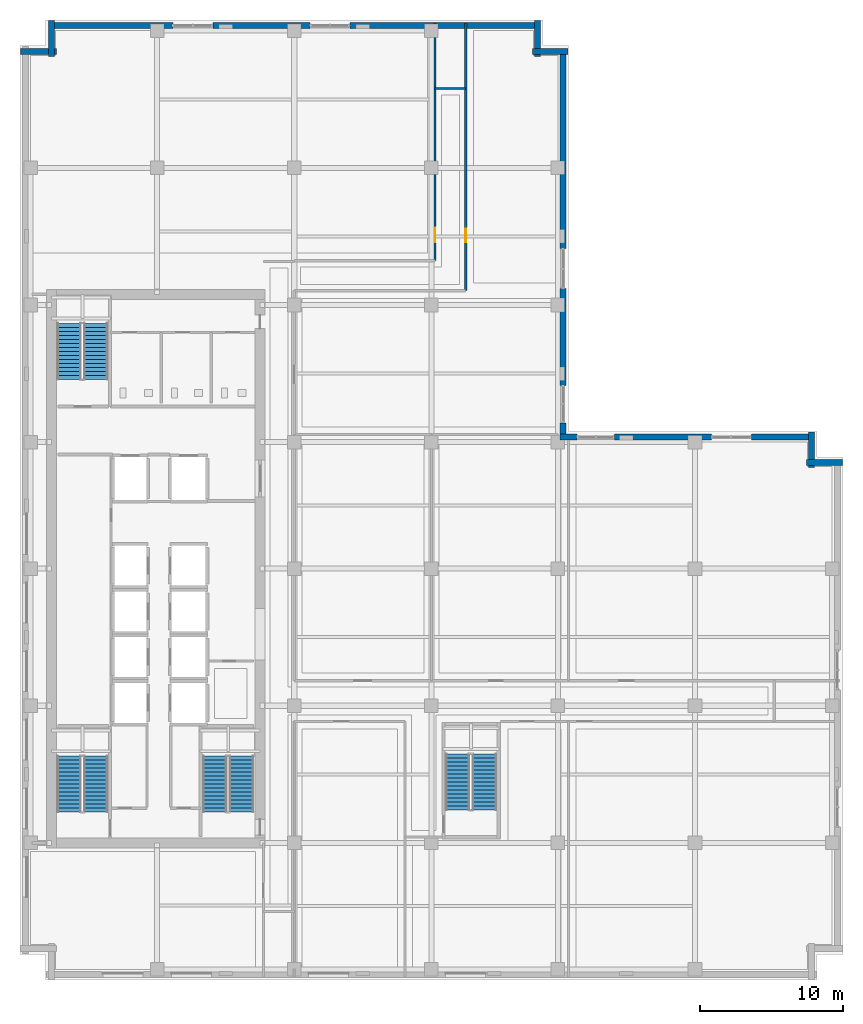
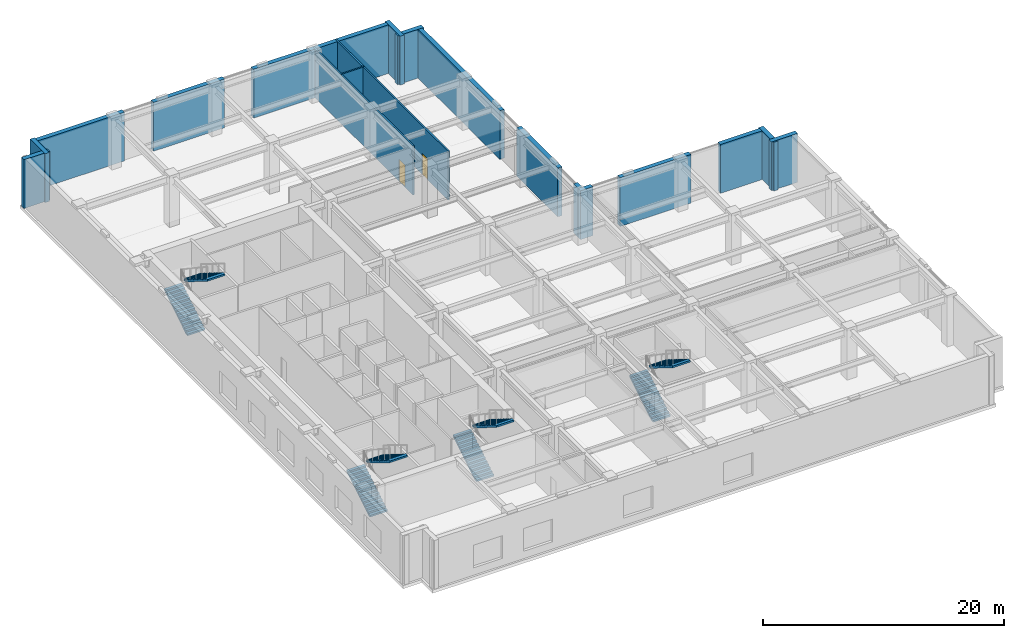
# One storey, part 7 of 18: 18 walls, 8 stair flights, 2 doors, 2 openings, 4 elements without a shape of their own.
"""IFC4 building model written with IfcOpenShell, lengths in metres."""

from ifc_helpers import new_model, si_unit, direction, frame, frame_2d, origin, place, context, subcontext, project, spatial, polyline, rectangle, outline, extrude, material, layer, layer_set, type_object, element, fill, aggregate, save


model = new_model("IFC4")

# Units and contexts
model_context = context("Model", 3, precision=1e-05, world=origin(), true_north=direction((0.0, 1.0)))
body_context = subcontext(model_context, "Body", "Model", "MODEL_VIEW")
ifc_project = project(units=[si_unit("LENGTHUNIT", "METRE"), si_unit("AREAUNIT", "SQUARE_METRE"), si_unit("VOLUMEUNIT", "CUBIC_METRE"), si_unit("PLANEANGLEUNIT", "RADIAN"), si_unit("MASSUNIT", "GRAM", prefix="KILO")], contexts=[model_context])

# Site, building, storey
site_placement = place(None, origin())
site = spatial("IfcSite", under=ifc_project, at=site_placement, CompositionType="ELEMENT")
building_placement = place(site_placement, origin())
building = spatial("IfcBuilding", under=site, at=building_placement, Name="Norrvale University Quadrangle", CompositionType="ELEMENT")
storey_placement = place(building_placement, frame((0.0, 0.0, 150.800048828125)))
storey = spatial("IfcBuildingStorey", under=building, at=storey_placement, Name="L38", CompositionType="ELEMENT", Elevation=150.800048828125)

# Walls
ifc_material_1 = material(Name="Buff Norman Clay Brick Masonry", Category="masonry")
ifc_layer_1 = layer(ifc_material_1, 0.419921875, Name="Buff Norman Clay Brick Masonry")
ifc_layer_set_1 = layer_set([ifc_layer_1], Name="Buff Norman Clay Brick Masonry")
wall_type_1 = type_object("IfcWallType", Name="Wall Buff Brick 420", PredefinedType="SOLIDWALL", material=ifc_layer_set_1)
for number, where, z_axis, x_axis, name in (
    (1, (57.56005859375, 36.2099609375, 0.0), (0.0, 0.0, 1.0), (-1.0, 0.0, 0.0), "Exterior Brick Facade Wall L38-05.1"),
    (2, (55.409912109375, 35.860107421875, 0.0), (0.0, 0.0, 1.0), (0.0, 1.0, 0.0), "Exterior Brick Facade Wall L38-06.1"),
):
    element("IfcWall", number, at=place(storey_placement, frame(where, z_axis=z_axis, x_axis=x_axis)), inside=storey, type_object=wall_type_1, Name=name, PredefinedType="SOLIDWALL", context=body_context, shape_type="SweptSolid", body=[
        extrude(rectangle(XDim=2.5, YDim=0.419921875, at=frame_2d((1.25, 0.0))), origin(), (0.0, 0.0, 1.0), 4.93994140625),
    ])
wall_1_placement = place(storey_placement, frame((55.409912109375, 38.010009765625, 0.0), z_axis=(0.0, 0.0, 1.0), x_axis=(-1.0, 0.0, 0.0)))
element("IfcWall", 3, at=wall_1_placement, inside=storey, type_object=wall_type_1, Name="Sky Lobby Brick Pier 07.1", PredefinedType="SOLIDWALL", context=body_context, shape_type="SweptSolid", body=[
    extrude(rectangle(XDim=4.2099609375, YDim=0.419921875, at=frame_2d((2.10498046875, 0.0))), origin(), (0.0, 0.0, 1.0), 4.93994140625),
])
wall_2_placement = place(storey_placement, frame((48.39990234375, 38.010009765625, 0.0), z_axis=(0.0, 0.0, 1.0), x_axis=(-1.0, 0.0, 0.0)))
element("IfcWall", 4, at=wall_2_placement, inside=storey, type_object=wall_type_1, Name="Sky Lobby Brick Pier 07.2", PredefinedType="SOLIDWALL", context=body_context, shape_type="SweptSolid", body=[
    extrude(rectangle(XDim=6.7998046875, YDim=0.419921875, at=frame_2d((3.39990234375, 0.0))), origin(), (0.0, 0.0, 1.0), 4.93994140625),
])
wall_3_placement = place(storey_placement, frame((39.0, 38.010009765625, 0.0), z_axis=(0.0, 0.0, 1.0), x_axis=(-1.0, 0.0, 0.0)))
element("IfcWall", 5, at=wall_3_placement, inside=storey, type_object=wall_type_1, Name="Sky Lobby Brick Pier 07.3", PredefinedType="SOLIDWALL", context=body_context, shape_type="SweptSolid", body=[
    extrude(rectangle(XDim=1.199951171875, YDim=0.419921875, at=frame_2d((0.60009765625, 0.0))), origin(), (0.0, 0.0, 1.0), 4.93994140625),
])
wall_4_placement = place(storey_placement, frame((38.010009765625, 38.22509765625, 0.0), z_axis=(0.0, 0.0, 1.0), x_axis=(0.0, 1.0, 0.0)))
element("IfcWall", 6, at=wall_4_placement, inside=storey, type_object=wall_type_1, Name="Sky Lobby Brick Pier 08.1", PredefinedType="SOLIDWALL", context=body_context, shape_type="SweptSolid", body=[
    extrude(rectangle(XDim=0.77490234375, YDim=0.419921875, at=frame_2d((0.387451171875, 0.0))), origin(), (0.0, 0.0, 1.0), 4.93994140625),
])
wall_5_placement = place(storey_placement, frame((38.010009765625, 41.60009765625, 0.0), z_axis=(0.0, 0.0, 1.0), x_axis=(0.0, 1.0, 0.0)))
element("IfcWall", 7, at=wall_5_placement, inside=storey, type_object=wall_type_1, Name="Sky Lobby Brick Pier 08.2", PredefinedType="SOLIDWALL", context=body_context, shape_type="SweptSolid", body=[
    extrude(rectangle(XDim=6.7998046875, YDim=0.419921875, at=frame_2d((3.39990234375, 0.0))), origin(), (0.0, 0.0, 1.0), 4.93994140625),
])
wall_6_placement = place(storey_placement, frame((38.010009765625, 51.199951171875, 0.0), z_axis=(0.0, 0.0, 1.0), x_axis=(0.0, 1.0, 0.0)))
element("IfcWall", 8, at=wall_6_placement, inside=storey, type_object=wall_type_1, Name="Sky Lobby Brick Pier 08.3", PredefinedType="SOLIDWALL", context=body_context, shape_type="SweptSolid", body=[
    extrude(rectangle(XDim=13.81005859375, YDim=0.419921875, at=frame_2d((6.905029296875, 0.0))), origin(), (0.0, 0.0, 1.0), 4.93994140625),
])
for number, where, z_axis, x_axis, name in (
    (9, (38.360107421875, 65.010009765625, 0.0), (0.0, 0.0, 1.0), (-1.0, 0.0, 0.0), "Exterior Brick Facade Wall L38-09.1"),
    (10, (36.2099609375, 64.659912109375, 0.0), (0.0, 0.0, 1.0), (0.0, 1.0, 0.0), "Exterior Brick Facade Wall L38-10.1"),
):
    element("IfcWall", number, at=place(storey_placement, frame(where, z_axis=z_axis, x_axis=x_axis)), inside=storey, type_object=wall_type_1, Name=name, PredefinedType="SOLIDWALL", context=body_context, shape_type="SweptSolid", body=[
        extrude(rectangle(XDim=2.5, YDim=0.419921875, at=frame_2d((1.25, 0.0))), origin(), (0.0, 0.0, 1.0), 4.93994140625),
    ])
wall_7_placement = place(storey_placement, frame((36.2099609375, 66.81005859375, 0.0), z_axis=(0.0, 0.0, 1.0), x_axis=(-1.0, 0.0, 0.0)))
element("IfcWall", 11, at=wall_7_placement, inside=storey, type_object=wall_type_1, Name="Sky Lobby Brick Pier 11.1", PredefinedType="SOLIDWALL", context=body_context, shape_type="SweptSolid", body=[
    extrude(rectangle(XDim=13.10986328125, YDim=0.419921875, at=frame_2d((6.554931640625, 0.0))), origin(), (0.0, 0.0, 1.0), 4.93994140625),
])
wall_8_placement = place(storey_placement, frame((20.300048828125, 66.81005859375, 0.0), z_axis=(0.0, 0.0, 1.0), x_axis=(-1.0, 0.0, 0.0)))
element("IfcWall", 12, at=wall_8_placement, inside=storey, type_object=wall_type_1, Name="Sky Lobby Brick Pier 11.2", PredefinedType="SOLIDWALL", context=body_context, shape_type="SweptSolid", body=[
    extrude(rectangle(XDim=6.800048828125, YDim=0.419921875, at=frame_2d((3.39990234375, 0.0))), origin(), (0.0, 0.0, 1.0), 4.93994140625),
])
wall_9_placement = place(storey_placement, frame((10.699951171875, 66.81005859375, 0.0), z_axis=(0.0, 0.0, 1.0), x_axis=(-1.0, 0.0, 0.0)))
element("IfcWall", 13, at=wall_9_placement, inside=storey, type_object=wall_type_1, Name="Sky Lobby Brick Pier 11.3", PredefinedType="SOLIDWALL", context=body_context, shape_type="SweptSolid", body=[
    extrude(rectangle(XDim=8.510009765625, YDim=0.419921875, at=frame_2d((4.2548828125, 0.0))), origin(), (0.0, 0.0, 1.0), 4.93994140625),
])
for number, where, z_axis, x_axis, name in (
    (14, (2.18994140625, 67.159912109375, 0.0), (0.0, 0.0, 1.0), (0.0, -1.0, 0.0), "Exterior Brick Facade Wall L38-12.1"),
    (15, (2.5400390625, 65.010009765625, 0.0), (0.0, 0.0, 1.0), (-1.0, 0.0, 0.0), "Exterior Brick Facade Wall L38-13.1"),
):
    element("IfcWall", number, at=place(storey_placement, frame(where, z_axis=z_axis, x_axis=x_axis)), inside=storey, type_object=wall_type_1, Name=name, PredefinedType="SOLIDWALL", context=body_context, shape_type="SweptSolid", body=[
        extrude(rectangle(XDim=2.5, YDim=0.419921875, at=frame_2d((1.25, 0.0))), origin(), (0.0, 0.0, 1.0), 4.93994140625),
    ])
ifc_material_2 = material(Name="Fire-Rated Gypsum Stud Partition")
ifc_layer_2 = layer(ifc_material_2, 0.14990234375, Name="Fire-Rated Gypsum Stud Partition")
ifc_layer_set_2 = layer_set([ifc_layer_2], Name="Fire-Rated Gypsum Stud Partition")
wall_type_2 = type_object("IfcWallType", Name="Wall Gypsum Corridor 150", PredefinedType="PARTITIONING", material=ifc_layer_set_2)
wall_10_placement = place(storey_placement, frame((29.050048828125, 62.39990234375, 0.0), z_axis=(0.0, 0.0, 1.0), x_axis=(1.0, 0.0, 0.0)))
element("IfcWall", 16, at=wall_10_placement, inside=storey, type_object=wall_type_2, Name="Interior Partition WL-L38-JOGEND", PredefinedType="PARTITIONING", context=body_context, shape_type="SweptSolid", body=[
    extrude(rectangle(XDim=2.14990234375, YDim=0.14990234375, at=frame_2d((1.074951171875, 0.0))), origin(), (0.0, 0.0, 1.0), 4.93994140625),
])

# Wall, opening, door
wall_11_placement = place(storey_placement, frame((31.199951171875, 48.25, 0.0), z_axis=(0.0, 0.0, 1.0), x_axis=(0.0, 1.0, 0.0)))
wall_11 = element("IfcWall", 17, at=wall_11_placement, inside=storey, type_object=wall_type_2, Name="Interior Partition WL-L38-NECW", PredefinedType="PARTITIONING", context=body_context, shape_type="SweptSolid", body=[
    extrude(rectangle(XDim=18.72998046875, YDim=0.14990234375, at=frame_2d((9.364990234375, 0.0))), origin(), (0.0, 0.0, 1.0), 4.93994140625),
])
opening_1_placement = place(wall_11_placement, frame((3.39990234375, 0.0, 0.0)))
opening_1 = element("IfcOpeningElement", 18, at=opening_1_placement, cuts=wall_11, Name="Opening D07", PredefinedType="OPENING", context=body_context, shape_type="SweptSolid", body=[
    extrude(rectangle(XDim=0.949951171875, YDim=2.14990234375, at=frame_2d((0.47509765625, 1.074951171875))), frame((0.0, 0.0869140625, 0.0), z_axis=(0.0, -1.0, 0.0), x_axis=(1.0, 0.0, 0.0)), (0.0, 0.0, 1.0), 0.173828125),
])
ifc_material_3 = material(Name="Solid-Core Maple Door", Category="wood")
door_type_1 = type_object("IfcDoorType", Name="Door Office 950x2150", OperationType="NOTDEFINED", PredefinedType="DOOR", material=ifc_material_3)
door_1_placement = place(opening_1_placement, origin())
door_1 = element("IfcDoor", 19, at=door_1_placement, inside=storey, type_object=door_type_1, Name="Door Office 950x2150 DR-L38-NE01", OperationType="SINGLE_SWING_RIGHT", OverallHeight=2.14990234375, OverallWidth=0.949951171875, PredefinedType="DOOR", context=body_context, shape_type="SweptSolid", body=[
    extrude(rectangle(XDim=0.949951171875, YDim=2.14990234375, at=frame_2d((0.47509765625, 1.074951171875))), frame((0.0, 0.02490234375, 0.0), z_axis=(0.0, -1.0, 0.0), x_axis=(1.0, 0.0, 0.0)), (0.0, 0.0, 1.0), 0.050048828125),
])
fill(opening_1, door_1)

wall_12_placement = place(storey_placement, frame((29.050048828125, 50.35009765625, 0.0), z_axis=(0.0, 0.0, 1.0), x_axis=(0.0, 1.0, 0.0)))
wall_12 = element("IfcWall", 20, at=wall_12_placement, inside=storey, type_object=wall_type_2, Name="Interior Partition WL-L38-NWCW", PredefinedType="PARTITIONING", context=body_context, shape_type="SweptSolid", body=[
    extrude(rectangle(XDim=16.6298828125, YDim=0.14990234375, at=frame_2d((8.31494140625, 0.0))), origin(), (0.0, 0.0, 1.0), 4.93994140625),
])
opening_2_placement = place(wall_12_placement, frame((1.300048828125, 0.0, 0.0)))
opening_2 = element("IfcOpeningElement", 21, at=opening_2_placement, cuts=wall_12, Name="Opening D04", PredefinedType="OPENING", context=body_context, shape_type="SweptSolid", body=[
    extrude(rectangle(XDim=1.0, YDim=2.199951171875, at=frame_2d((0.5, 1.10009765625))), frame((0.0, 0.0869140625, 0.0), z_axis=(0.0, -1.0, 0.0), x_axis=(1.0, 0.0, 0.0)), (0.0, 0.0, 1.0), 0.173828125),
])
ifc_material_4 = material(Name="Solid-Core Oak Fire Door", Category="wood")
door_type_2 = type_object("IfcDoorType", Name="Door Corridor 1000x2200", OperationType="NOTDEFINED", PredefinedType="DOOR", material=ifc_material_4)
door_2_placement = place(opening_2_placement, origin())
door_2 = element("IfcDoor", 22, at=door_2_placement, inside=storey, type_object=door_type_2, Name="Door Corridor 1000x2200 DR-L38-NW01", OperationType="SINGLE_SWING_RIGHT", OverallHeight=2.199951171875, OverallWidth=1.0, PredefinedType="DOOR", context=body_context, shape_type="SweptSolid", body=[
    extrude(rectangle(XDim=1.0, YDim=2.199951171875, at=frame_2d((0.5, 1.10009765625))), frame((0.0, 0.02490234375, 0.0), z_axis=(0.0, -1.0, 0.0), x_axis=(1.0, 0.0, 0.0)), (0.0, 0.0, 1.0), 0.050048828125),
])
fill(opening_2, door_2)

# Stair, stair flights
ifc_material_5 = material(Name="Concrete C40/50", Category="concrete")
stair_type = type_object("IfcStairType", Name="Stair Tower Tall 5200", PredefinedType="TWO_STRAIGHT_RUN_STAIR", material=ifc_material_5)
stair_1_placement = place(storey_placement, origin())
stair_1 = element("IfcStair", 23, at=stair_1_placement, inside=storey, type_object=stair_type, Name="Exit Stair ST-01 L38", PredefinedType="TWO_STRAIGHT_RUN_STAIR")
stair_flight_type = type_object("IfcStairFlightType", Name="Flight Typ 1500", PredefinedType="STRAIGHT", material=ifc_material_5)
stair_flight_1_placement = place(storey_placement, frame((3.429931640625, 11.75, 0.0), z_axis=(0.0, 0.0, 1.0), x_axis=(0.0, 1.0, 0.0)))
stair_flight_1 = element("IfcStairFlight", 24, at=stair_flight_1_placement, type_object=stair_flight_type, Name="Exit Stair ST-01 L38 Lower Flight", NumberOfRisers=15, NumberOfTreads=14, PredefinedType="STRAIGHT", RiserHeight=0.173333, TreadLength=0.28, context=body_context, shape_type="SweptSolid", body=[
    extrude(outline(polyline([(0.0, 0.0), (0.0, 0.17333984375), (0.280029296875, 0.17333984375), (0.280029296875, 0.3466796875), (0.56005859375, 0.3466796875), (0.56005859375, 0.52001953125), (0.840087890625, 0.52001953125), (0.840087890625, 0.693359375), (1.1201171875, 0.693359375), (1.1201171875, 0.86669921875), (1.39990234375, 0.86669921875), (1.39990234375, 1.0400390625), (1.679931640625, 1.0400390625), (1.679931640625, 1.21337890625), (1.9599609375, 1.21337890625), (1.9599609375, 1.38671875), (2.239990234375, 1.38671875), (2.239990234375, 1.56005859375), (2.52001953125, 1.56005859375), (2.52001953125, 1.7333984375), (2.800048828125, 1.7333984375), (2.800048828125, 1.90673828125), (3.080078125, 1.90673828125), (3.080078125, 2.080078125), (3.360107421875, 2.080078125), (3.360107421875, 2.25341796875), (3.639892578125, 2.25341796875), (3.639892578125, 2.4267578125), (3.919921875, 2.4267578125), (3.919921875, 2.60009765625), (3.919921875, 2.250244140625), (0.284912109375, 0.0), (0.0, 0.0)])), frame((0.0, 0.83984375, 0.0), z_axis=(0.0, -1.0, 0.0), x_axis=(1.0, 0.0, 0.0)), (0.0, 0.0, 1.0), 1.679931640625),
])
stair_flight_2_placement = place(storey_placement, frame((5.320068359375, 15.669921875, 2.599853515625), z_axis=(0.0, 0.0, 1.0), x_axis=(0.0, -1.0, 0.0)))
stair_flight_2 = element("IfcStairFlight", 25, at=stair_flight_2_placement, type_object=stair_flight_type, Name="Exit Stair ST-01 L38 Upper Flight", NumberOfRisers=15, NumberOfTreads=14, PredefinedType="STRAIGHT", RiserHeight=0.173333, TreadLength=0.28, context=body_context, shape_type="SweptSolid", body=[
    extrude(outline(polyline([(0.0, 0.0), (0.0, 0.17333984375), (0.280029296875, 0.17333984375), (0.280029296875, 0.3466796875), (0.56005859375, 0.3466796875), (0.56005859375, 0.52001953125), (0.840087890625, 0.52001953125), (0.840087890625, 0.693359375), (1.1201171875, 0.693359375), (1.1201171875, 0.86669921875), (1.39990234375, 0.86669921875), (1.39990234375, 1.0400390625), (1.679931640625, 1.0400390625), (1.679931640625, 1.21337890625), (1.9599609375, 1.21337890625), (1.9599609375, 1.38671875), (2.239990234375, 1.38671875), (2.239990234375, 1.56005859375), (2.52001953125, 1.56005859375), (2.52001953125, 1.7333984375), (2.800048828125, 1.7333984375), (2.800048828125, 1.90673828125), (3.080078125, 1.90673828125), (3.080078125, 2.080078125), (3.360107421875, 2.080078125), (3.360107421875, 2.25341796875), (3.639892578125, 2.25341796875), (3.639892578125, 2.4267578125), (3.919921875, 2.4267578125), (3.919921875, 2.60009765625), (3.919921875, 2.250244140625), (0.284912109375, 0.0), (0.0, 0.0)])), frame((0.0, 0.83984375, 0.0), z_axis=(0.0, -1.0, 0.0), x_axis=(1.0, 0.0, 0.0)), (0.0, 0.0, 1.0), 1.679931640625),
])
aggregate(stair_1, [stair_flight_1, stair_flight_2])

stair_2_placement = place(storey_placement, origin())
stair_2 = element("IfcStair", 26, at=stair_2_placement, inside=storey, type_object=stair_type, Name="Exit Stair ST-02 L38", PredefinedType="TWO_STRAIGHT_RUN_STAIR")
stair_flight_3_placement = place(storey_placement, frame((3.429931640625, 42.050048828125, 0.0), z_axis=(0.0, 0.0, 1.0), x_axis=(0.0, 1.0, 0.0)))
stair_flight_3 = element("IfcStairFlight", 27, at=stair_flight_3_placement, type_object=stair_flight_type, Name="Exit Stair ST-02 L38 Lower Flight", NumberOfRisers=15, NumberOfTreads=14, PredefinedType="STRAIGHT", RiserHeight=0.173333, TreadLength=0.28, context=body_context, shape_type="SweptSolid", body=[
    extrude(outline(polyline([(0.0, 0.0), (0.0, 0.17333984375), (0.280029296875, 0.17333984375), (0.280029296875, 0.3466796875), (0.56005859375, 0.3466796875), (0.56005859375, 0.52001953125), (0.840087890625, 0.52001953125), (0.840087890625, 0.693359375), (1.1201171875, 0.693359375), (1.1201171875, 0.86669921875), (1.39990234375, 0.86669921875), (1.39990234375, 1.0400390625), (1.679931640625, 1.0400390625), (1.679931640625, 1.21337890625), (1.9599609375, 1.21337890625), (1.9599609375, 1.38671875), (2.239990234375, 1.38671875), (2.239990234375, 1.56005859375), (2.52001953125, 1.56005859375), (2.52001953125, 1.7333984375), (2.800048828125, 1.7333984375), (2.800048828125, 1.90673828125), (3.080078125, 1.90673828125), (3.080078125, 2.080078125), (3.360107421875, 2.080078125), (3.360107421875, 2.25341796875), (3.639892578125, 2.25341796875), (3.639892578125, 2.4267578125), (3.919921875, 2.4267578125), (3.919921875, 2.60009765625), (3.919921875, 2.250244140625), (0.284912109375, 0.0), (0.0, 0.0)])), frame((0.0, 0.83984375, 0.0), z_axis=(0.0, -1.0, 0.0), x_axis=(1.0, 0.0, 0.0)), (0.0, 0.0, 1.0), 1.679931640625),
])
stair_flight_4_placement = place(storey_placement, frame((5.320068359375, 45.969970703125, 2.599853515625), z_axis=(0.0, 0.0, 1.0), x_axis=(0.0, -1.0, 0.0)))
stair_flight_4 = element("IfcStairFlight", 28, at=stair_flight_4_placement, type_object=stair_flight_type, Name="Exit Stair ST-02 L38 Upper Flight", NumberOfRisers=15, NumberOfTreads=14, PredefinedType="STRAIGHT", RiserHeight=0.173333, TreadLength=0.28, context=body_context, shape_type="SweptSolid", body=[
    extrude(outline(polyline([(0.0, 0.0), (0.0, 0.17333984375), (0.280029296875, 0.17333984375), (0.280029296875, 0.3466796875), (0.56005859375, 0.3466796875), (0.56005859375, 0.52001953125), (0.840087890625, 0.52001953125), (0.840087890625, 0.693359375), (1.1201171875, 0.693359375), (1.1201171875, 0.86669921875), (1.39990234375, 0.86669921875), (1.39990234375, 1.0400390625), (1.679931640625, 1.0400390625), (1.679931640625, 1.21337890625), (1.9599609375, 1.21337890625), (1.9599609375, 1.38671875), (2.239990234375, 1.38671875), (2.239990234375, 1.56005859375), (2.52001953125, 1.56005859375), (2.52001953125, 1.7333984375), (2.800048828125, 1.7333984375), (2.800048828125, 1.90673828125), (3.080078125, 1.90673828125), (3.080078125, 2.080078125), (3.360107421875, 2.080078125), (3.360107421875, 2.25341796875), (3.639892578125, 2.25341796875), (3.639892578125, 2.4267578125), (3.919921875, 2.4267578125), (3.919921875, 2.60009765625), (3.919921875, 2.250244140625), (0.284912109375, 0.0), (0.0, 0.0)])), frame((0.0, 0.83984375, 0.0), z_axis=(0.0, -1.0, 0.0), x_axis=(1.0, 0.0, 0.0)), (0.0, 0.0, 1.0), 1.679931640625),
])
aggregate(stair_2, [stair_flight_3, stair_flight_4])

stair_3_placement = place(storey_placement, origin())
stair_3 = element("IfcStair", 29, at=stair_3_placement, inside=storey, type_object=stair_type, Name="Exit Stair ST-03 L38", PredefinedType="TWO_STRAIGHT_RUN_STAIR")
stair_flight_5_placement = place(storey_placement, frame((13.6298828125, 11.75, 0.0), z_axis=(0.0, 0.0, 1.0), x_axis=(0.0, 1.0, 0.0)))
stair_flight_5 = element("IfcStairFlight", 30, at=stair_flight_5_placement, type_object=stair_flight_type, Name="Exit Stair ST-03 L38 Lower Flight", NumberOfRisers=15, NumberOfTreads=14, PredefinedType="STRAIGHT", RiserHeight=0.173333, TreadLength=0.28, context=body_context, shape_type="SweptSolid", body=[
    extrude(outline(polyline([(0.0, 0.0), (0.0, 0.17333984375), (0.280029296875, 0.17333984375), (0.280029296875, 0.3466796875), (0.56005859375, 0.3466796875), (0.56005859375, 0.52001953125), (0.840087890625, 0.52001953125), (0.840087890625, 0.693359375), (1.1201171875, 0.693359375), (1.1201171875, 0.86669921875), (1.39990234375, 0.86669921875), (1.39990234375, 1.0400390625), (1.679931640625, 1.0400390625), (1.679931640625, 1.21337890625), (1.9599609375, 1.21337890625), (1.9599609375, 1.38671875), (2.239990234375, 1.38671875), (2.239990234375, 1.56005859375), (2.52001953125, 1.56005859375), (2.52001953125, 1.7333984375), (2.800048828125, 1.7333984375), (2.800048828125, 1.90673828125), (3.080078125, 1.90673828125), (3.080078125, 2.080078125), (3.360107421875, 2.080078125), (3.360107421875, 2.25341796875), (3.639892578125, 2.25341796875), (3.639892578125, 2.4267578125), (3.919921875, 2.4267578125), (3.919921875, 2.60009765625), (3.919921875, 2.250244140625), (0.284912109375, 0.0), (0.0, 0.0)])), frame((0.0, 0.83984375, 0.0), z_axis=(0.0, -1.0, 0.0), x_axis=(1.0, 0.0, 0.0)), (0.0, 0.0, 1.0), 1.679931640625),
])
stair_flight_6_placement = place(storey_placement, frame((15.52001953125, 15.669921875, 2.599853515625), z_axis=(0.0, 0.0, 1.0), x_axis=(0.0, -1.0, 0.0)))
stair_flight_6 = element("IfcStairFlight", 31, at=stair_flight_6_placement, type_object=stair_flight_type, Name="Exit Stair ST-03 L38 Upper Flight", NumberOfRisers=15, NumberOfTreads=14, PredefinedType="STRAIGHT", RiserHeight=0.173333, TreadLength=0.28, context=body_context, shape_type="SweptSolid", body=[
    extrude(outline(polyline([(0.0, 0.0), (0.0, 0.17333984375), (0.280029296875, 0.17333984375), (0.280029296875, 0.3466796875), (0.56005859375, 0.3466796875), (0.56005859375, 0.52001953125), (0.840087890625, 0.52001953125), (0.840087890625, 0.693359375), (1.1201171875, 0.693359375), (1.1201171875, 0.86669921875), (1.39990234375, 0.86669921875), (1.39990234375, 1.0400390625), (1.679931640625, 1.0400390625), (1.679931640625, 1.21337890625), (1.9599609375, 1.21337890625), (1.9599609375, 1.38671875), (2.239990234375, 1.38671875), (2.239990234375, 1.56005859375), (2.52001953125, 1.56005859375), (2.52001953125, 1.7333984375), (2.800048828125, 1.7333984375), (2.800048828125, 1.90673828125), (3.080078125, 1.90673828125), (3.080078125, 2.080078125), (3.360107421875, 2.080078125), (3.360107421875, 2.25341796875), (3.639892578125, 2.25341796875), (3.639892578125, 2.4267578125), (3.919921875, 2.4267578125), (3.919921875, 2.60009765625), (3.919921875, 2.250244140625), (0.284912109375, 0.0), (0.0, 0.0)])), frame((0.0, 0.83984375, 0.0), z_axis=(0.0, -1.0, 0.0), x_axis=(1.0, 0.0, 0.0)), (0.0, 0.0, 1.0), 1.679931640625),
])
aggregate(stair_3, [stair_flight_5, stair_flight_6])

stair_4_placement = place(storey_placement, origin())
stair_4 = element("IfcStair", 32, at=stair_4_placement, inside=storey, type_object=stair_type, Name="Exit Stair ST-04 L38", PredefinedType="TWO_STRAIGHT_RUN_STAIR")
stair_flight_7_placement = place(storey_placement, frame((30.6298828125, 11.89990234375, 0.0), z_axis=(0.0, 0.0, 1.0), x_axis=(0.0, 1.0, 0.0)))
stair_flight_7 = element("IfcStairFlight", 33, at=stair_flight_7_placement, type_object=stair_flight_type, Name="Exit Stair ST-04 L38 Lower Flight", NumberOfRisers=15, NumberOfTreads=14, PredefinedType="STRAIGHT", RiserHeight=0.173333, TreadLength=0.28, context=body_context, shape_type="SweptSolid", body=[
    extrude(outline(polyline([(0.0, 0.0), (0.0, 0.17333984375), (0.280029296875, 0.17333984375), (0.280029296875, 0.3466796875), (0.56005859375, 0.3466796875), (0.56005859375, 0.52001953125), (0.840087890625, 0.52001953125), (0.840087890625, 0.693359375), (1.1201171875, 0.693359375), (1.1201171875, 0.86669921875), (1.39990234375, 0.86669921875), (1.39990234375, 1.0400390625), (1.679931640625, 1.0400390625), (1.679931640625, 1.21337890625), (1.9599609375, 1.21337890625), (1.9599609375, 1.38671875), (2.239990234375, 1.38671875), (2.239990234375, 1.56005859375), (2.52001953125, 1.56005859375), (2.52001953125, 1.7333984375), (2.800048828125, 1.7333984375), (2.800048828125, 1.90673828125), (3.080078125, 1.90673828125), (3.080078125, 2.080078125), (3.360107421875, 2.080078125), (3.360107421875, 2.25341796875), (3.639892578125, 2.25341796875), (3.639892578125, 2.4267578125), (3.919921875, 2.4267578125), (3.919921875, 2.60009765625), (3.919921875, 2.250244140625), (0.284912109375, 0.0), (0.0, 0.0)])), frame((0.0, 0.83984375, 0.0), z_axis=(0.0, -1.0, 0.0), x_axis=(1.0, 0.0, 0.0)), (0.0, 0.0, 1.0), 1.679931640625),
])
stair_flight_8_placement = place(storey_placement, frame((32.52001953125, 15.820068359375, 2.599853515625), z_axis=(0.0, 0.0, 1.0), x_axis=(0.0, -1.0, 0.0)))
stair_flight_8 = element("IfcStairFlight", 34, at=stair_flight_8_placement, type_object=stair_flight_type, Name="Exit Stair ST-04 L38 Upper Flight", NumberOfRisers=15, NumberOfTreads=14, PredefinedType="STRAIGHT", RiserHeight=0.173333, TreadLength=0.28, context=body_context, shape_type="SweptSolid", body=[
    extrude(outline(polyline([(0.0, 0.0), (0.0, 0.17333984375), (0.280029296875, 0.17333984375), (0.280029296875, 0.3466796875), (0.56005859375, 0.3466796875), (0.56005859375, 0.52001953125), (0.840087890625, 0.52001953125), (0.840087890625, 0.693359375), (1.1201171875, 0.693359375), (1.1201171875, 0.86669921875), (1.39990234375, 0.86669921875), (1.39990234375, 1.0400390625), (1.679931640625, 1.0400390625), (1.679931640625, 1.21337890625), (1.9599609375, 1.21337890625), (1.9599609375, 1.38671875), (2.239990234375, 1.38671875), (2.239990234375, 1.56005859375), (2.52001953125, 1.56005859375), (2.52001953125, 1.7333984375), (2.800048828125, 1.7333984375), (2.800048828125, 1.90673828125), (3.080078125, 1.90673828125), (3.080078125, 2.080078125), (3.360107421875, 2.080078125), (3.360107421875, 2.25341796875), (3.639892578125, 2.25341796875), (3.639892578125, 2.4267578125), (3.919921875, 2.4267578125), (3.919921875, 2.60009765625), (3.919921875, 2.250244140625), (0.284912109375, 0.0), (0.0, 0.0)])), frame((0.0, 0.83984375, 0.0), z_axis=(0.0, -1.0, 0.0), x_axis=(1.0, 0.0, 0.0)), (0.0, 0.0, 1.0), 1.679931640625),
])
aggregate(stair_4, [stair_flight_7, stair_flight_8])

save(model, "model.ifc")
